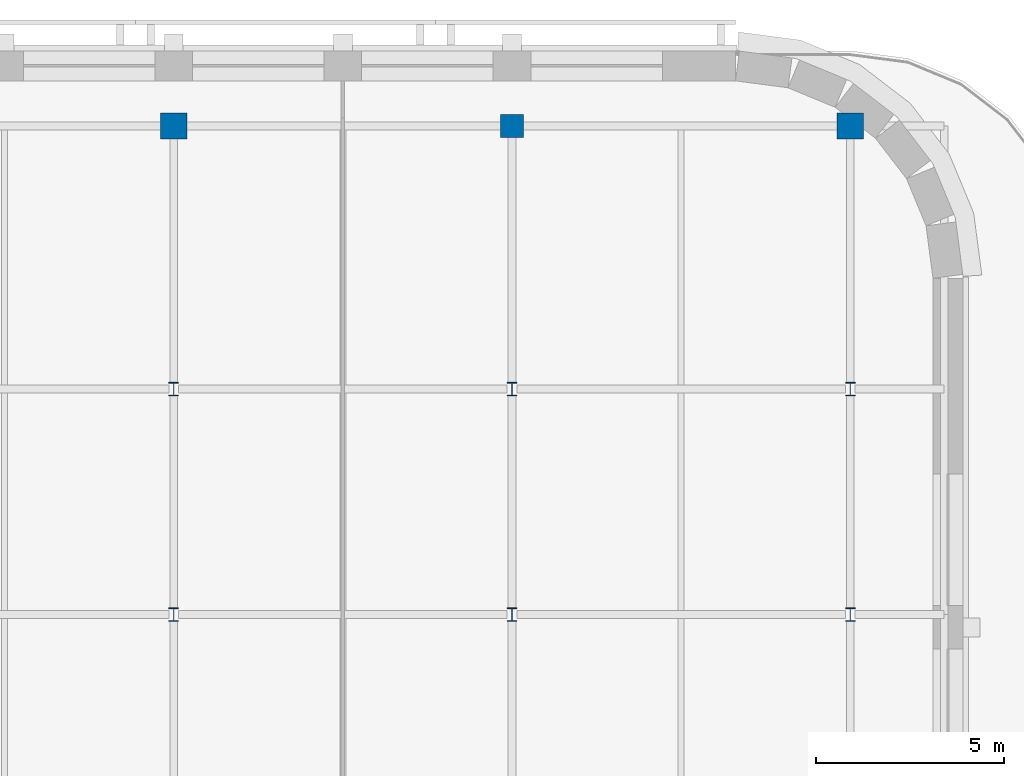
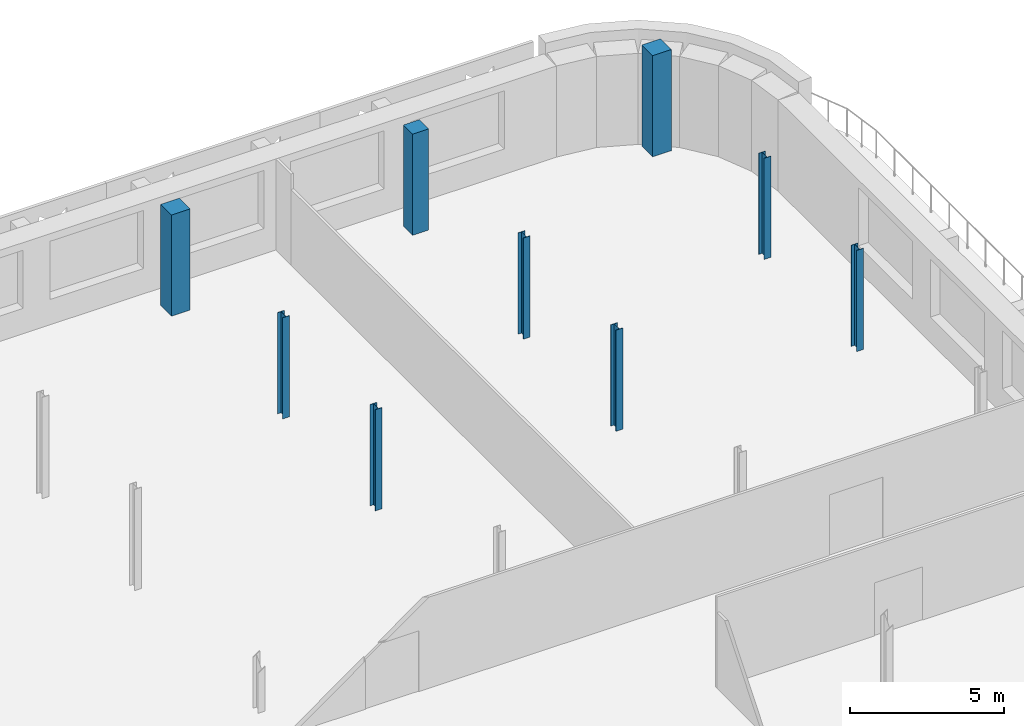
# One storey, part 4 of 13: 9 columns.
"""IFC4 building model written with IfcOpenShell, lengths in metres."""

from ifc_helpers import new_model, si_unit, direction, frame, origin, origin_2d, place, context, subcontext, project, spatial, rectangle, i_section, extrude, material, material_profile, profile_set, type_object, element, save


model = new_model("IFC4")

# Units and contexts
model_context = context("Model", 3, precision=1e-05, world=origin(), true_north=direction((0.0, 1.0)))
body_context = subcontext(model_context, "Body", "Model", "MODEL_VIEW")
ifc_project = project(units=[si_unit("LENGTHUNIT", "METRE"), si_unit("AREAUNIT", "SQUARE_METRE"), si_unit("VOLUMEUNIT", "CUBIC_METRE"), si_unit("PLANEANGLEUNIT", "RADIAN"), si_unit("MASSUNIT", "GRAM", prefix="KILO")], contexts=[model_context])

# Site, building, storey
site_placement = place(None, origin())
site = spatial("IfcSite", under=ifc_project, at=site_placement, CompositionType="ELEMENT")
building_placement = place(site_placement, origin())
building = spatial("IfcBuilding", under=site, at=building_placement, Name="Zellij Exchange Tower", CompositionType="ELEMENT")
storey_placement = place(building_placement, frame((0.0, 0.0, 292.5)))
storey = spatial("IfcBuildingStorey", under=building, at=storey_placement, Name="L69", CompositionType="ELEMENT", Elevation=292.5)

# Columns
ifc_material_1 = material(Name="Concrete C50/60", Category="concrete")
ifc_material_profile_1 = material_profile(ifc_material_1, rectangle(XDim=0.60009765625, YDim=0.60009765625, at=origin_2d()), Name="STR-COLUMN RC600x600 C50/60")
ifc_profile_set_1 = profile_set([ifc_material_profile_1], Name="Concrete C50/60")
column_type_1 = type_object("IfcColumnType", Name="STR-COLUMN RC600x600 C50/60", PredefinedType="COLUMN", material=ifc_profile_set_1)
column_placement = place(storey_placement, frame((18.0, 35.0, 0.0), z_axis=(0.0, 0.0, 1.0), x_axis=(1.0, 0.0, 0.0)))
element("IfcColumn", 1, at=column_placement, inside=storey, type_object=column_type_1, Name="C13", PredefinedType="COLUMN", context=body_context, shape_type="SweptSolid", body=[
    extrude(rectangle(XDim=0.60009765625, YDim=0.60009765625, at=origin_2d()), origin(), (0.0, 0.0, 1.0), 4.0),
])
ifc_material_2 = material(Name="Structural steel ASTM A992 Gr 50", Category="steel")
ifc_material_profile_2 = material_profile(ifc_material_2, i_section(OverallWidth=0.25390625, OverallDepth=0.35302734375, WebThickness=0.009521484375, FlangeThickness=0.016357421875, at=origin_2d()), Name="W14x61")
ifc_profile_set_2 = profile_set([ifc_material_profile_2], Name="Structural steel ASTM A992 Gr 50")
column_type_2 = type_object("IfcColumnType", Name="STR-COLUMN W14x61", PredefinedType="COLUMN", material=ifc_profile_set_2)
for number, where, z_axis, x_axis, name in (
    (2, (9.0, 22.0, 0.0), (0.0, 0.0, 1.0), (1.0, 0.0, 0.0), "C6"),
    (3, (18.0, 22.0, 0.0), (0.0, 0.0, 1.0), (1.0, 0.0, 0.0), "C6"),
    (4, (27.0, 22.0, 0.0), (0.0, 0.0, 1.0), (1.0, 0.0, 0.0), "C6"),
    (5, (9.0, 28.0, 0.0), (0.0, 0.0, 1.0), (1.0, 0.0, 0.0), "C6"),
    (6, (18.0, 28.0, 0.0), (0.0, 0.0, 1.0), (1.0, 0.0, 0.0), "C6"),
    (7, (27.0, 28.0, 0.0), (0.0, 0.0, 1.0), (1.0, 0.0, 0.0), "C6"),
):
    element("IfcColumn", number, at=place(storey_placement, frame(where, z_axis=z_axis, x_axis=x_axis)), inside=storey, type_object=column_type_2, Name=name, PredefinedType="COLUMN", context=body_context, shape_type="SweptSolid", body=[
        extrude(i_section(OverallWidth=0.25390625, OverallDepth=0.35302734375, WebThickness=0.009521484375, FlangeThickness=0.016357421875, at=origin_2d()), origin(), (0.0, 0.0, 1.0), 4.0),
    ])
ifc_material_profile_3 = material_profile(ifc_material_1, rectangle(XDim=0.699951171875, YDim=0.699951171875, at=origin_2d()), Name="STR-MEGA COLUMN RC700x700 C50/60")
ifc_profile_set_3 = profile_set([ifc_material_profile_3], Name="Concrete C50/60")
column_type_3 = type_object("IfcColumnType", Name="STR-MEGA COLUMN RC700x700 C50/60", PredefinedType="COLUMN", material=ifc_profile_set_3)
for number, where, z_axis, x_axis, name in (
    (8, (9.0, 35.0, 0.0), (0.0, 0.0, 1.0), (1.0, 0.0, 0.0), "MC9"),
    (9, (27.0, 35.0, 0.0), (0.0, 0.0, 1.0), (1.0, 0.0, 0.0), "MC9"),
):
    element("IfcColumn", number, at=place(storey_placement, frame(where, z_axis=z_axis, x_axis=x_axis)), inside=storey, type_object=column_type_3, Name=name, PredefinedType="COLUMN", context=body_context, shape_type="SweptSolid", body=[
        extrude(rectangle(XDim=0.699951171875, YDim=0.699951171875, at=origin_2d()), origin(), (0.0, 0.0, 1.0), 4.0),
    ])

save(model, "model.ifc")
